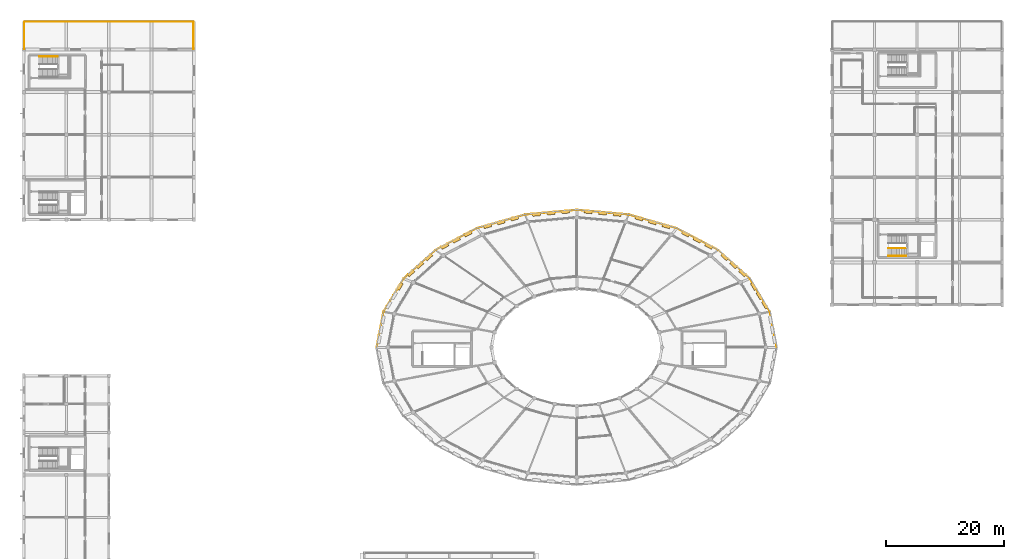
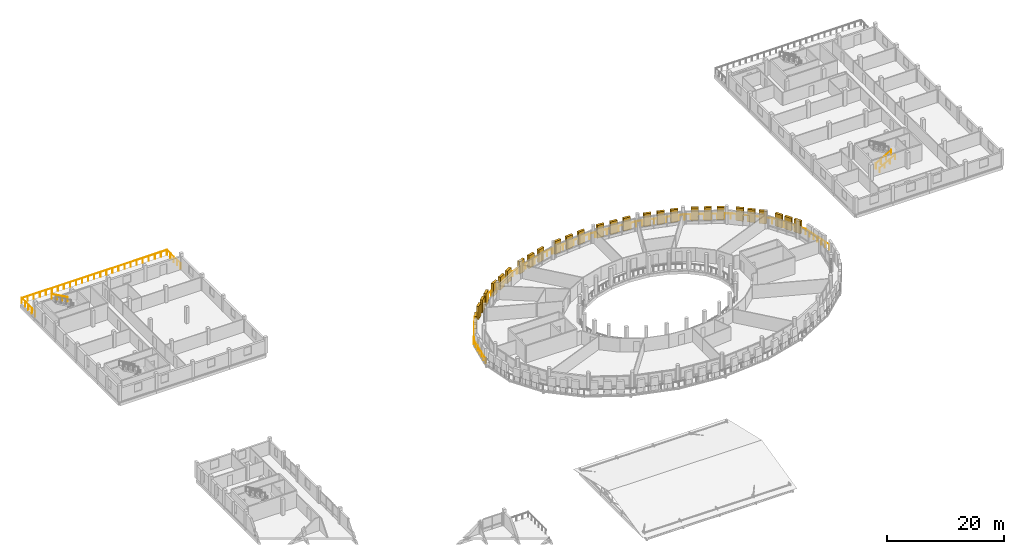
# One storey, part 83 of 84: 28 shading devices, 8 railings.
"""IFC4 building model written with IfcOpenShell, lengths in metres."""

from ifc_helpers import new_model, si_unit, direction, frame, origin, origin_2d, place, context, subcontext, project, spatial, rectangle, circle, extrude, material, type_object, element, save


model = new_model("IFC4")

# Units and contexts
model_context = context("Model", 3, precision=1e-05, world=origin(), true_north=direction((0.0, 1.0)))
body_context = subcontext(model_context, "Body", "Model", "MODEL_VIEW")
ifc_project = project(units=[si_unit("LENGTHUNIT", "METRE"), si_unit("AREAUNIT", "SQUARE_METRE"), si_unit("VOLUMEUNIT", "CUBIC_METRE"), si_unit("PLANEANGLEUNIT", "RADIAN"), si_unit("MASSUNIT", "GRAM", prefix="KILO")], contexts=[model_context])

# Site, building, storey
site_placement = place(None, origin())
site = spatial("IfcSite", under=ifc_project, at=site_placement, CompositionType="ELEMENT")
building_placement = place(site_placement, origin())
building = spatial("IfcBuilding", under=site, at=building_placement, Name="Zornivar Specialist Clinic", CompositionType="ELEMENT")
storey_placement = place(building_placement, frame((0.0, 0.0, 12.300048828125)))
storey = spatial("IfcBuildingStorey", under=building, at=storey_placement, Name="L03", CompositionType="ELEMENT", Elevation=12.300048828125)

# Railings
ifc_material_1 = material(Name="Painted Steel and Oiled Timber Balustrade", Category="steel")
railing_type_1 = type_object("IfcRailingType", Name="GRD-EXT-BALUST-1100", PredefinedType="BALUSTRADE", material=ifc_material_1)
railing_1_placement = place(storey_placement, frame((127.4541015625, 57.62890625, 0.0)))
element("IfcRailing", 1, at=railing_1_placement, inside=storey, type_object=railing_type_1, Name="rail:V1:L03:balc:q0", PredefinedType="BALUSTRADE", context=body_context, shape_type="SweptSolid", body=[
    extrude(circle(Radius=0.02392578125, at=origin_2d()), frame((0.0, 0.0, 1.076171875), z_axis=(-0.188227386656, 0.982125476155, 0.0), x_axis=(-0.982125476155, -0.188227386656, 0.0)), (0.0, 0.0, 1.0), 6.105224609375),
    extrude(circle(Radius=0.02392578125, at=origin_2d()), frame((-1.149169921875, 5.99609375, 1.076171875), z_axis=(-0.516422508188, 0.856333926127, 0.0), x_axis=(-0.856333926127, -0.516422508188, 0.0)), (0.0, 0.0, 1.0), 6.5546875),
    extrude(circle(Radius=0.02392578125, at=origin_2d()), frame((-4.5341796875, 11.609130859375, 1.076171875), z_axis=(-0.745201542332, 0.666839306959, 0.0), x_axis=(-0.666839306959, -0.745201542332, 0.0)), (0.0, 0.0, 1.0), 7.224853515625),
    extrude(circle(Radius=0.02392578125, at=origin_2d()), frame((-9.918212890625, 16.427001953125, 1.076171875), z_axis=(-0.884811989173, 0.465948220101, 0.0), x_axis=(-0.465948220101, -0.884811989173, 0.0)), (0.0, 0.0, 1.0), 7.92822265625),
    extrude(circle(Radius=0.02392578125, at=origin_2d()), frame((-16.93310546875, 20.12109375, 1.076171875), z_axis=(-0.961942919035, 0.273250472127, 0.0), x_axis=(-0.273250472127, -0.961942919035, 0.0)), (0.0, 0.0, 1.0), 8.487060546875),
    extrude(circle(Radius=0.02392578125, at=origin_2d()), frame((-25.09716796875, 22.440185546875, 1.076171875), z_axis=(-0.995949875612, 0.089910206697, 0.0), x_axis=(-0.089910206697, -0.995949875612, 0.0)), (0.0, 0.0, 1.0), 8.762451171875),
    extrude(circle(Radius=0.02099609375, at=origin_2d()), origin(), (0.0, 0.0, 1.0), 1.052001953125),
    extrude(circle(Radius=0.02099609375, at=origin_2d()), frame((-0.19140625, 0.999267578125, 0.0)), (0.0, 0.0, 1.0), 1.052001953125),
    extrude(circle(Radius=0.02099609375, at=origin_2d()), frame((-0.383056640625, 1.998779296875, 0.0)), (0.0, 0.0, 1.0), 1.052001953125),
    extrude(circle(Radius=0.02099609375, at=origin_2d()), frame((-0.57470703125, 2.998046875, 0.0)), (0.0, 0.0, 1.0), 1.052001953125),
    extrude(circle(Radius=0.02099609375, at=origin_2d()), frame((-0.76611328125, 3.997314453125, 0.0)), (0.0, 0.0, 1.0), 1.052001953125),
    extrude(circle(Radius=0.02099609375, at=origin_2d()), frame((-0.95751953125, 4.996826171875, 0.0)), (0.0, 0.0, 1.0), 1.052001953125),
    extrude(circle(Radius=0.02099609375, at=origin_2d()), frame((-1.149169921875, 5.99609375, 0.0)), (0.0, 0.0, 1.0), 1.052001953125),
    extrude(circle(Radius=0.02099609375, at=origin_2d()), frame((-1.71337890625, 6.931640625, 0.0)), (0.0, 0.0, 1.0), 1.052001953125),
    extrude(circle(Radius=0.02099609375, at=origin_2d()), frame((-2.277587890625, 7.8671875, 0.0)), (0.0, 0.0, 1.0), 1.052001953125),
    extrude(circle(Radius=0.02099609375, at=origin_2d()), frame((-2.841796875, 8.802734375, 0.0)), (0.0, 0.0, 1.0), 1.052001953125),
    extrude(circle(Radius=0.02099609375, at=origin_2d()), frame((-3.40576171875, 9.738037109375, 0.0)), (0.0, 0.0, 1.0), 1.052001953125),
    extrude(circle(Radius=0.02099609375, at=origin_2d()), frame((-3.969970703125, 10.673583984375, 0.0)), (0.0, 0.0, 1.0), 1.052001953125),
    extrude(circle(Radius=0.02099609375, at=origin_2d()), frame((-4.5341796875, 11.609130859375, 0.0)), (0.0, 0.0, 1.0), 1.052001953125),
    extrude(circle(Radius=0.02099609375, at=origin_2d()), frame((-5.30322265625, 12.29736328125, 0.0)), (0.0, 0.0, 1.0), 1.052001953125),
    extrude(circle(Radius=0.02099609375, at=origin_2d()), frame((-6.072509765625, 12.985595703125, 0.0)), (0.0, 0.0, 1.0), 1.052001953125),
    extrude(circle(Radius=0.02099609375, at=origin_2d()), frame((-6.841552734375, 13.673828125, 0.0)), (0.0, 0.0, 1.0), 1.052001953125),
    extrude(circle(Radius=0.02099609375, at=origin_2d()), frame((-7.61083984375, 14.3623046875, 0.0)), (0.0, 0.0, 1.0), 1.052001953125),
    extrude(circle(Radius=0.02099609375, at=origin_2d()), frame((-8.3798828125, 15.050537109375, 0.0)), (0.0, 0.0, 1.0), 1.052001953125),
    extrude(circle(Radius=0.02099609375, at=origin_2d()), frame((-9.149169921875, 15.73876953125, 0.0)), (0.0, 0.0, 1.0), 1.052001953125),
    extrude(circle(Radius=0.02099609375, at=origin_2d()), frame((-9.918212890625, 16.427001953125, 0.0)), (0.0, 0.0, 1.0), 1.052001953125),
    extrude(circle(Radius=0.02099609375, at=origin_2d()), frame((-10.92041015625, 16.954833984375, 0.0)), (0.0, 0.0, 1.0), 1.052001953125),
    extrude(circle(Radius=0.02099609375, at=origin_2d()), frame((-11.92236328125, 17.482421875, 0.0)), (0.0, 0.0, 1.0), 1.052001953125),
    extrude(circle(Radius=0.02099609375, at=origin_2d()), frame((-12.924560546875, 18.01025390625, 0.0)), (0.0, 0.0, 1.0), 1.052001953125),
    extrude(circle(Radius=0.02099609375, at=origin_2d()), frame((-13.9267578125, 18.537841796875, 0.0)), (0.0, 0.0, 1.0), 1.052001953125),
    extrude(circle(Radius=0.02099609375, at=origin_2d()), frame((-14.928955078125, 19.065673828125, 0.0)), (0.0, 0.0, 1.0), 1.052001953125),
    extrude(circle(Radius=0.02099609375, at=origin_2d()), frame((-15.930908203125, 19.59326171875, 0.0)), (0.0, 0.0, 1.0), 1.052001953125),
    extrude(circle(Radius=0.02099609375, at=origin_2d()), frame((-16.93310546875, 20.12109375, 0.0)), (0.0, 0.0, 1.0), 1.052001953125),
    extrude(circle(Radius=0.02099609375, at=origin_2d()), frame((-17.95361328125, 20.410888671875, 0.0)), (0.0, 0.0, 1.0), 1.052001953125),
    extrude(circle(Radius=0.02099609375, at=origin_2d()), frame((-18.97412109375, 20.700927734375, 0.0)), (0.0, 0.0, 1.0), 1.052001953125),
    extrude(circle(Radius=0.02099609375, at=origin_2d()), frame((-19.99462890625, 20.99072265625, 0.0)), (0.0, 0.0, 1.0), 1.052001953125),
    extrude(circle(Radius=0.02099609375, at=origin_2d()), frame((-21.01513671875, 21.28076171875, 0.0)), (0.0, 0.0, 1.0), 1.052001953125),
    extrude(circle(Radius=0.02099609375, at=origin_2d()), frame((-22.03564453125, 21.570556640625, 0.0)), (0.0, 0.0, 1.0), 1.052001953125),
    extrude(circle(Radius=0.02099609375, at=origin_2d()), frame((-23.05615234375, 21.8603515625, 0.0)), (0.0, 0.0, 1.0), 1.052001953125),
    extrude(circle(Radius=0.02099609375, at=origin_2d()), frame((-24.07666015625, 22.150390625, 0.0)), (0.0, 0.0, 1.0), 1.052001953125),
    extrude(circle(Radius=0.02099609375, at=origin_2d()), frame((-25.09716796875, 22.440185546875, 0.0)), (0.0, 0.0, 1.0), 1.052001953125),
    extrude(circle(Radius=0.02099609375, at=origin_2d()), frame((-26.18798828125, 22.53857421875, 0.0)), (0.0, 0.0, 1.0), 1.052001953125),
    extrude(circle(Radius=0.02099609375, at=origin_2d()), frame((-27.27880859375, 22.63720703125, 0.0)), (0.0, 0.0, 1.0), 1.052001953125),
    extrude(circle(Radius=0.02099609375, at=origin_2d()), frame((-28.369873046875, 22.735595703125, 0.0)), (0.0, 0.0, 1.0), 1.052001953125),
    extrude(circle(Radius=0.02099609375, at=origin_2d()), frame((-29.460693359375, 22.833984375, 0.0)), (0.0, 0.0, 1.0), 1.052001953125),
    extrude(circle(Radius=0.02099609375, at=origin_2d()), frame((-30.551513671875, 22.9326171875, 0.0)), (0.0, 0.0, 1.0), 1.052001953125),
    extrude(circle(Radius=0.02099609375, at=origin_2d()), frame((-31.642578125, 23.031005859375, 0.0)), (0.0, 0.0, 1.0), 1.052001953125),
    extrude(circle(Radius=0.02099609375, at=origin_2d()), frame((-32.7333984375, 23.129638671875, 0.0)), (0.0, 0.0, 1.0), 1.052001953125),
    extrude(circle(Radius=0.02099609375, at=origin_2d()), frame((-33.82421875, 23.22802734375, 0.0)), (0.0, 0.0, 1.0), 1.052001953125),
])
railing_2_placement = place(storey_placement, frame((93.570068359375, 80.85693359375, 0.0)))
element("IfcRailing", 2, at=railing_2_placement, inside=storey, type_object=railing_type_1, Name="rail:V1:L03:balc:q1", PredefinedType="BALUSTRADE", context=body_context, shape_type="SweptSolid", body=[
    extrude(circle(Radius=0.02392578125, at=origin_2d()), frame((0.0, 0.0, 1.076171875), z_axis=(-0.995949875612, -0.089910206697, 0.0), x_axis=(0.089910206697, -0.995949875612, 0.0)), (0.0, 0.0, 1.0), 8.762451171875),
    extrude(circle(Radius=0.02392578125, at=origin_2d()), frame((-8.72705078125, -0.787841796875, 1.076171875), z_axis=(-0.961942919035, -0.273250472127, 0.0), x_axis=(0.273250472127, -0.961942919035, 0.0)), (0.0, 0.0, 1.0), 8.487060546875),
    extrude(circle(Radius=0.02392578125, at=origin_2d()), frame((-16.89111328125, -3.10693359375, 1.076171875), z_axis=(-0.884811989173, -0.465948220101, 0.0), x_axis=(0.465948220101, -0.884811989173, 0.0)), (0.0, 0.0, 1.0), 7.92822265625),
    extrude(circle(Radius=0.02392578125, at=origin_2d()), frame((-23.906005859375, -6.801025390625, 1.076171875), z_axis=(-0.745201542332, -0.666839306959, 0.0), x_axis=(0.666839306959, -0.745201542332, 0.0)), (0.0, 0.0, 1.0), 7.224853515625),
    extrude(circle(Radius=0.02392578125, at=origin_2d()), frame((-29.2900390625, -11.618896484375, 1.076171875), z_axis=(-0.516422508188, -0.856333926127, 0.0), x_axis=(0.856333926127, -0.516422508188, 0.0)), (0.0, 0.0, 1.0), 6.5546875),
    extrude(circle(Radius=0.02392578125, at=origin_2d()), frame((-32.675048828125, -17.23193359375, 1.076171875), z_axis=(-0.188188814184, -0.982132867903, 0.0), x_axis=(0.982132867903, -0.188188814184, 0.0)), (0.0, 0.0, 1.0), 6.105224609375),
    extrude(circle(Radius=0.02099609375, at=origin_2d()), origin(), (0.0, 0.0, 1.0), 1.052001953125),
    extrude(circle(Radius=0.02099609375, at=origin_2d()), frame((-1.0908203125, -0.098388671875, 0.0)), (0.0, 0.0, 1.0), 1.052001953125),
    extrude(circle(Radius=0.02099609375, at=origin_2d()), frame((-2.181640625, -0.197021484375, 0.0)), (0.0, 0.0, 1.0), 1.052001953125),
    extrude(circle(Radius=0.02099609375, at=origin_2d()), frame((-3.272705078125, -0.29541015625, 0.0)), (0.0, 0.0, 1.0), 1.052001953125),
    extrude(circle(Radius=0.02099609375, at=origin_2d()), frame((-4.363525390625, -0.39404296875, 0.0)), (0.0, 0.0, 1.0), 1.052001953125),
    extrude(circle(Radius=0.02099609375, at=origin_2d()), frame((-5.454345703125, -0.492431640625, 0.0)), (0.0, 0.0, 1.0), 1.052001953125),
    extrude(circle(Radius=0.02099609375, at=origin_2d()), frame((-6.54541015625, -0.5908203125, 0.0)), (0.0, 0.0, 1.0), 1.052001953125),
    extrude(circle(Radius=0.02099609375, at=origin_2d()), frame((-7.63623046875, -0.689453125, 0.0)), (0.0, 0.0, 1.0), 1.052001953125),
    extrude(circle(Radius=0.02099609375, at=origin_2d()), frame((-8.72705078125, -0.787841796875, 0.0)), (0.0, 0.0, 1.0), 1.052001953125),
    extrude(circle(Radius=0.02099609375, at=origin_2d()), frame((-9.74755859375, -1.07763671875, 0.0)), (0.0, 0.0, 1.0), 1.052001953125),
    extrude(circle(Radius=0.02099609375, at=origin_2d()), frame((-10.76806640625, -1.36767578125, 0.0)), (0.0, 0.0, 1.0), 1.052001953125),
    extrude(circle(Radius=0.02099609375, at=origin_2d()), frame((-11.78857421875, -1.657470703125, 0.0)), (0.0, 0.0, 1.0), 1.052001953125),
    extrude(circle(Radius=0.02099609375, at=origin_2d()), frame((-12.80908203125, -1.947265625, 0.0)), (0.0, 0.0, 1.0), 1.052001953125),
    extrude(circle(Radius=0.02099609375, at=origin_2d()), frame((-13.82958984375, -2.2373046875, 0.0)), (0.0, 0.0, 1.0), 1.052001953125),
    extrude(circle(Radius=0.02099609375, at=origin_2d()), frame((-14.85009765625, -2.527099609375, 0.0)), (0.0, 0.0, 1.0), 1.052001953125),
    extrude(circle(Radius=0.02099609375, at=origin_2d()), frame((-15.87060546875, -2.817138671875, 0.0)), (0.0, 0.0, 1.0), 1.052001953125),
    extrude(circle(Radius=0.02099609375, at=origin_2d()), frame((-16.89111328125, -3.10693359375, 0.0)), (0.0, 0.0, 1.0), 1.052001953125),
    extrude(circle(Radius=0.02099609375, at=origin_2d()), frame((-17.893310546875, -3.634765625, 0.0)), (0.0, 0.0, 1.0), 1.052001953125),
    extrude(circle(Radius=0.02099609375, at=origin_2d()), frame((-18.895263671875, -4.162353515625, 0.0)), (0.0, 0.0, 1.0), 1.052001953125),
    extrude(circle(Radius=0.02099609375, at=origin_2d()), frame((-19.8974609375, -4.690185546875, 0.0)), (0.0, 0.0, 1.0), 1.052001953125),
    extrude(circle(Radius=0.02099609375, at=origin_2d()), frame((-20.899658203125, -5.2177734375, 0.0)), (0.0, 0.0, 1.0), 1.052001953125),
    extrude(circle(Radius=0.02099609375, at=origin_2d()), frame((-21.90185546875, -5.74560546875, 0.0)), (0.0, 0.0, 1.0), 1.052001953125),
    extrude(circle(Radius=0.02099609375, at=origin_2d()), frame((-22.90380859375, -6.273193359375, 0.0)), (0.0, 0.0, 1.0), 1.052001953125),
    extrude(circle(Radius=0.02099609375, at=origin_2d()), frame((-23.906005859375, -6.801025390625, 0.0)), (0.0, 0.0, 1.0), 1.052001953125),
    extrude(circle(Radius=0.02099609375, at=origin_2d()), frame((-24.675048828125, -7.4892578125, 0.0)), (0.0, 0.0, 1.0), 1.052001953125),
    extrude(circle(Radius=0.02099609375, at=origin_2d()), frame((-25.4443359375, -8.177490234375, 0.0)), (0.0, 0.0, 1.0), 1.052001953125),
    extrude(circle(Radius=0.02099609375, at=origin_2d()), frame((-26.21337890625, -8.86572265625, 0.0)), (0.0, 0.0, 1.0), 1.052001953125),
    extrude(circle(Radius=0.02099609375, at=origin_2d()), frame((-26.982666015625, -9.55419921875, 0.0)), (0.0, 0.0, 1.0), 1.052001953125),
    extrude(circle(Radius=0.02099609375, at=origin_2d()), frame((-27.751708984375, -10.242431640625, 0.0)), (0.0, 0.0, 1.0), 1.052001953125),
    extrude(circle(Radius=0.02099609375, at=origin_2d()), frame((-28.52099609375, -10.9306640625, 0.0)), (0.0, 0.0, 1.0), 1.052001953125),
    extrude(circle(Radius=0.02099609375, at=origin_2d()), frame((-29.2900390625, -11.618896484375, 0.0)), (0.0, 0.0, 1.0), 1.052001953125),
    extrude(circle(Radius=0.02099609375, at=origin_2d()), frame((-29.854248046875, -12.554443359375, 0.0)), (0.0, 0.0, 1.0), 1.052001953125),
    extrude(circle(Radius=0.02099609375, at=origin_2d()), frame((-30.41845703125, -13.489990234375, 0.0)), (0.0, 0.0, 1.0), 1.052001953125),
    extrude(circle(Radius=0.02099609375, at=origin_2d()), frame((-30.982421875, -14.42529296875, 0.0)), (0.0, 0.0, 1.0), 1.052001953125),
    extrude(circle(Radius=0.02099609375, at=origin_2d()), frame((-31.546630859375, -15.36083984375, 0.0)), (0.0, 0.0, 1.0), 1.052001953125),
    extrude(circle(Radius=0.02099609375, at=origin_2d()), frame((-32.11083984375, -16.29638671875, 0.0)), (0.0, 0.0, 1.0), 1.052001953125),
    extrude(circle(Radius=0.02099609375, at=origin_2d()), frame((-32.675048828125, -17.23193359375, 0.0)), (0.0, 0.0, 1.0), 1.052001953125),
    extrude(circle(Radius=0.02099609375, at=origin_2d()), frame((-32.866455078125, -18.231201171875, 0.0)), (0.0, 0.0, 1.0), 1.052001953125),
    extrude(circle(Radius=0.02099609375, at=origin_2d()), frame((-33.05810546875, -19.230712890625, 0.0)), (0.0, 0.0, 1.0), 1.052001953125),
    extrude(circle(Radius=0.02099609375, at=origin_2d()), frame((-33.24951171875, -20.22998046875, 0.0)), (0.0, 0.0, 1.0), 1.052001953125),
    extrude(circle(Radius=0.02099609375, at=origin_2d()), frame((-33.44091796875, -21.229248046875, 0.0)), (0.0, 0.0, 1.0), 1.052001953125),
    extrude(circle(Radius=0.02099609375, at=origin_2d()), frame((-33.632568359375, -22.228759765625, 0.0)), (0.0, 0.0, 1.0), 1.052001953125),
    extrude(circle(Radius=0.02099609375, at=origin_2d()), frame((-33.823974609375, -23.22802734375, 0.0)), (0.0, 0.0, 1.0), 1.052001953125),
])
ifc_material_2 = material(Name="Brushed Stainless Steel Stair Guardrail", Category="steel")
railing_type_2 = type_object("IfcRailingType", Name="GRD-INT-STAIR-1100", PredefinedType="GUARDRAIL", material=ifc_material_2)
railing_3_placement = place(storey_placement, frame((146.340087890625, 74.3798828125, 0.154052734375)))
element("IfcRailing", 3, at=railing_3_placement, inside=storey, type_object=railing_type_2, Name="stair:C9:L03:grd1", PredefinedType="GUARDRAIL", context=body_context, shape_type="SweptSolid", body=[
    extrude(circle(Radius=0.02392578125, at=origin_2d()), frame((0.0, 0.0, 1.076171875), z_axis=(0.870544365607, 0.0, 0.492089938436), x_axis=(0.0, 1.0, 0.0)), (0.0, 0.0, 1.0), 3.446044921875),
    extrude(circle(Radius=0.02099609375, at=origin_2d()), origin(), (0.0, 0.0, 1.0), 1.052001953125),
    extrude(circle(Radius=0.02099609375, at=origin_2d()), frame((1.0, 0.0, 0.565185546875)), (0.0, 0.0, 1.0), 1.052001953125),
    extrude(circle(Radius=0.02099609375, at=origin_2d()), frame((2.0, 0.0, 1.130615234375)), (0.0, 0.0, 1.0), 1.052001953125),
    extrude(circle(Radius=0.02099609375, at=origin_2d()), frame((3.0, 0.0, 1.69580078125)), (0.0, 0.0, 1.0), 1.052001953125),
])
ifc_material_3 = material(Name="Anodised Bronze Terrace Guardrail")
railing_type_3 = type_object("IfcRailingType", Name="GRD-TERR-GUARD-1120", PredefinedType="GUARDRAIL", material=ifc_material_3)
railing_4_placement = place(storey_placement, frame((28.719970703125, 108.080078125, 0.0)))
element("IfcRailing", 4, at=railing_4_placement, inside=storey, type_object=railing_type_3, Name="rail:V5:L03:terr:0:1", PredefinedType="GUARDRAIL", context=body_context, shape_type="SweptSolid", body=[
    extrude(circle(Radius=0.02392578125, at=origin_2d()), frame((0.0, 0.0, 1.09619140625), z_axis=(0.0, 1.0, 0.0), x_axis=(-1.0, 0.0, 0.0)), (0.0, 0.0, 1.0), 4.639892578125),
    extrude(circle(Radius=0.02099609375, at=origin_2d()), origin(), (0.0, 0.0, 1.0), 1.072021484375),
    extrude(circle(Radius=0.02099609375, at=origin_2d()), frame((0.0, 1.159912109375, 0.0)), (0.0, 0.0, 1.0), 1.072021484375),
    extrude(circle(Radius=0.02099609375, at=origin_2d()), frame((0.0, 2.31982421875, 0.0)), (0.0, 0.0, 1.0), 1.072021484375),
    extrude(circle(Radius=0.02099609375, at=origin_2d()), frame((0.0, 3.47998046875, 0.0)), (0.0, 0.0, 1.0), 1.072021484375),
    extrude(circle(Radius=0.02099609375, at=origin_2d()), frame((0.0, 4.639892578125, 0.0)), (0.0, 0.0, 1.0), 1.072021484375),
])
railing_5_placement = place(storey_placement, frame((28.719970703125, 112.719970703125, 0.0)))
element("IfcRailing", 5, at=railing_5_placement, inside=storey, type_object=railing_type_3, Name="rail:V5:L03:terr:0:2", PredefinedType="GUARDRAIL", context=body_context, shape_type="SweptSolid", body=[
    extrude(circle(Radius=0.02392578125, at=origin_2d()), frame((0.0, 0.0, 1.09619140625), z_axis=(-1.0, 0.0, 0.0), x_axis=(0.0, -1.0, 0.0)), (0.0, 0.0, 1.0), 28.639892578125),
    extrude(circle(Radius=0.02099609375, at=origin_2d()), origin(), (0.0, 0.0, 1.0), 1.072021484375),
    extrude(circle(Radius=0.02099609375, at=origin_2d()), frame((-1.193359375, 0.0, 0.0)), (0.0, 0.0, 1.0), 1.072021484375),
    extrude(circle(Radius=0.02099609375, at=origin_2d()), frame((-2.38671875, 0.0, 0.0)), (0.0, 0.0, 1.0), 1.072021484375),
    extrude(circle(Radius=0.02099609375, at=origin_2d()), frame((-3.580078125, 0.0, 0.0)), (0.0, 0.0, 1.0), 1.072021484375),
    extrude(circle(Radius=0.02099609375, at=origin_2d()), frame((-4.7734375, 0.0, 0.0)), (0.0, 0.0, 1.0), 1.072021484375),
    extrude(circle(Radius=0.02099609375, at=origin_2d()), frame((-5.966552734375, 0.0, 0.0)), (0.0, 0.0, 1.0), 1.072021484375),
    extrude(circle(Radius=0.02099609375, at=origin_2d()), frame((-7.159912109375, 0.0, 0.0)), (0.0, 0.0, 1.0), 1.072021484375),
    extrude(circle(Radius=0.02099609375, at=origin_2d()), frame((-8.353271484375, 0.0, 0.0)), (0.0, 0.0, 1.0), 1.072021484375),
    extrude(circle(Radius=0.02099609375, at=origin_2d()), frame((-9.546630859375, 0.0, 0.0)), (0.0, 0.0, 1.0), 1.072021484375),
    extrude(circle(Radius=0.02099609375, at=origin_2d()), frame((-10.739990234375, 0.0, 0.0)), (0.0, 0.0, 1.0), 1.072021484375),
    extrude(circle(Radius=0.02099609375, at=origin_2d()), frame((-11.933349609375, 0.0, 0.0)), (0.0, 0.0, 1.0), 1.072021484375),
    extrude(circle(Radius=0.02099609375, at=origin_2d()), frame((-13.126708984375, 0.0, 0.0)), (0.0, 0.0, 1.0), 1.072021484375),
    extrude(circle(Radius=0.02099609375, at=origin_2d()), frame((-14.31982421875, 0.0, 0.0)), (0.0, 0.0, 1.0), 1.072021484375),
    extrude(circle(Radius=0.02099609375, at=origin_2d()), frame((-15.51318359375, 0.0, 0.0)), (0.0, 0.0, 1.0), 1.072021484375),
    extrude(circle(Radius=0.02099609375, at=origin_2d()), frame((-16.70654296875, 0.0, 0.0)), (0.0, 0.0, 1.0), 1.072021484375),
    extrude(circle(Radius=0.02099609375, at=origin_2d()), frame((-17.89990234375, 0.0, 0.0)), (0.0, 0.0, 1.0), 1.072021484375),
    extrude(circle(Radius=0.02099609375, at=origin_2d()), frame((-19.09326171875, 0.0, 0.0)), (0.0, 0.0, 1.0), 1.072021484375),
    extrude(circle(Radius=0.02099609375, at=origin_2d()), frame((-20.28662109375, 0.0, 0.0)), (0.0, 0.0, 1.0), 1.072021484375),
    extrude(circle(Radius=0.02099609375, at=origin_2d()), frame((-21.47998046875, 0.0, 0.0)), (0.0, 0.0, 1.0), 1.072021484375),
    extrude(circle(Radius=0.02099609375, at=origin_2d()), frame((-22.67333984375, 0.0, 0.0)), (0.0, 0.0, 1.0), 1.072021484375),
    extrude(circle(Radius=0.02099609375, at=origin_2d()), frame((-23.86669921875, 0.0, 0.0)), (0.0, 0.0, 1.0), 1.072021484375),
    extrude(circle(Radius=0.02099609375, at=origin_2d()), frame((-25.059814453125, 0.0, 0.0)), (0.0, 0.0, 1.0), 1.072021484375),
    extrude(circle(Radius=0.02099609375, at=origin_2d()), frame((-26.253173828125, 0.0, 0.0)), (0.0, 0.0, 1.0), 1.072021484375),
    extrude(circle(Radius=0.02099609375, at=origin_2d()), frame((-27.446533203125, 0.0, 0.0)), (0.0, 0.0, 1.0), 1.072021484375),
    extrude(circle(Radius=0.02099609375, at=origin_2d()), frame((-28.639892578125, 0.0, 0.0)), (0.0, 0.0, 1.0), 1.072021484375),
])
railing_6_placement = place(storey_placement, frame((0.080078125, 112.719970703125, 0.0)))
element("IfcRailing", 6, at=railing_6_placement, inside=storey, type_object=railing_type_3, Name="rail:V5:L03:terr:0:3", PredefinedType="GUARDRAIL", context=body_context, shape_type="SweptSolid", body=[
    extrude(circle(Radius=0.02392578125, at=origin_2d()), frame((0.0, 0.0, 1.09619140625), z_axis=(0.0, -1.0, 0.0), x_axis=(1.0, 0.0, 0.0)), (0.0, 0.0, 1.0), 4.639892578125),
    extrude(circle(Radius=0.02099609375, at=origin_2d()), origin(), (0.0, 0.0, 1.0), 1.072021484375),
    extrude(circle(Radius=0.02099609375, at=origin_2d()), frame((0.0, -1.159912109375, 0.0)), (0.0, 0.0, 1.0), 1.072021484375),
    extrude(circle(Radius=0.02099609375, at=origin_2d()), frame((0.0, -2.31982421875, 0.0)), (0.0, 0.0, 1.0), 1.072021484375),
    extrude(circle(Radius=0.02099609375, at=origin_2d()), frame((0.0, -3.47998046875, 0.0)), (0.0, 0.0, 1.0), 1.072021484375),
    extrude(circle(Radius=0.02099609375, at=origin_2d()), frame((0.0, -4.639892578125, 0.0)), (0.0, 0.0, 1.0), 1.072021484375),
])
ifc_material_4 = material(Name="Brushed Stainless Steel Continuous Handrail", Category="steel")
railing_type_4 = type_object("IfcRailingType", Name="HRL-STAIR-0920", PredefinedType="HANDRAIL", material=ifc_material_4)
railing_7_placement = place(storey_placement, frame((5.679931640625, 106.830078125, 2.00390625)))
element("IfcRailing", 7, at=railing_7_placement, inside=storey, type_object=railing_type_4, Name="stair:C8:L03:hr2", PredefinedType="HANDRAIL", context=body_context, shape_type="SweptSolid", body=[
    extrude(circle(Radius=0.02392578125, at=origin_2d()), frame((0.0, 0.0, 0.89599609375), z_axis=(-0.874624303793, 0.0, 0.484801327571), x_axis=(0.0, -1.0, 0.0)), (0.0, 0.0, 1.0), 3.49853515625),
    extrude(circle(Radius=0.02099609375, at=origin_2d()), origin(), (0.0, 0.0, 1.0), 0.871826171875),
    extrude(circle(Radius=0.02099609375, at=origin_2d()), frame((-1.02001953125, 0.0, 0.5654296875)), (0.0, 0.0, 1.0), 0.871826171875),
    extrude(circle(Radius=0.02099609375, at=origin_2d()), frame((-2.039794921875, 0.0, 1.130615234375)), (0.0, 0.0, 1.0), 0.871826171875),
    extrude(circle(Radius=0.02099609375, at=origin_2d()), frame((-3.059814453125, 0.0, 1.696044921875)), (0.0, 0.0, 1.0), 0.871826171875),
])
railing_8_placement = place(storey_placement, frame((146.300048828125, 73.070068359375, 0.154052734375)))
element("IfcRailing", 8, at=railing_8_placement, inside=storey, type_object=railing_type_4, Name="stair:C9:L03:hr1", PredefinedType="HANDRAIL", context=body_context, shape_type="SweptSolid", body=[
    extrude(circle(Radius=0.02392578125, at=origin_2d()), frame((0.0, 0.0, 0.89599609375), z_axis=(0.875988564427, 0.0, 0.482331872256), x_axis=(0.0, 1.0, 0.0)), (0.0, 0.0, 1.0), 3.515869140625),
    extrude(circle(Radius=0.02099609375, at=origin_2d()), origin(), (0.0, 0.0, 1.0), 0.871826171875),
    extrude(circle(Radius=0.02099609375, at=origin_2d()), frame((1.026611328125, 0.0, 0.565185546875)), (0.0, 0.0, 1.0), 0.871826171875),
    extrude(circle(Radius=0.02099609375, at=origin_2d()), frame((2.05322265625, 0.0, 1.130615234375)), (0.0, 0.0, 1.0), 0.871826171875),
    extrude(circle(Radius=0.02099609375, at=origin_2d()), frame((3.079833984375, 0.0, 1.69580078125)), (0.0, 0.0, 1.0), 0.871826171875),
])

# Shading devices
ifc_material_5 = material(Name="Oiled European Larch Timber Louvre Shutter", Category="wood")
shading_device_type = type_object("IfcShadingDeviceType", Name="SHD-DRUM-SHUTTER-450", PredefinedType="SHUTTER", material=ifc_material_5)
for number, where, z_axis, x_axis, name in (
    (9, (125.404052734375, 64.743896484375, 0.0), (0.0, 0.0, 1.0), (-0.516018019467, 0.856577727696, 0.0), "shutter:V1:L03:c01:0"),
    (10, (124.4560546875, 66.319091796875, 0.0), (0.0, 0.0, 1.0), (-0.516018019467, 0.856577727696, 0.0), "shutter:V1:L03:c01:1"),
    (11, (123.507080078125, 67.89404296875, 0.0), (0.0, 0.0, 1.0), (-0.516018019467, 0.856577727696, 0.0), "shutter:V1:L03:c01:2"),
    (12, (121.623046875, 70.135986328125, 0.0), (0.0, 0.0, 1.0), (-0.744796712128, 0.667291433785, 0.0), "shutter:V1:L03:c02:0"),
    (13, (120.114013671875, 71.489013671875, 0.0), (0.0, 0.0, 1.0), (-0.744796712128, 0.667291433785, 0.0), "shutter:V1:L03:c02:1"),
    (14, (118.60400390625, 72.841064453125, 0.0), (0.0, 0.0, 1.0), (-0.744796712128, 0.667291433785, 0.0), "shutter:V1:L03:c02:2"),
    (15, (115.923095703125, 74.68408203125, 0.0), (0.0, 0.0, 1.0), (-0.884469914632, 0.466597224713, 0.0), "shutter:V1:L03:c03:0"),
    (16, (113.9560546875, 75.721923828125, 0.0), (0.0, 0.0, 1.0), (-0.884469914632, 0.466597224713, 0.0), "shutter:V1:L03:c03:1"),
    (17, (111.989013671875, 76.760009765625, 0.0), (0.0, 0.0, 1.0), (-0.884469914632, 0.466597224713, 0.0), "shutter:V1:L03:c03:2"),
    (18, (108.69189453125, 78.068115234375, 0.0), (0.0, 0.0, 1.0), (-0.961785255901, 0.273804896838, 0.0), "shutter:V1:L03:c04:0"),
    (19, (106.40087890625, 78.719970703125, 0.0), (0.0, 0.0, 1.0), (-0.961785255901, 0.273804896838, 0.0), "shutter:V1:L03:c04:1"),
    (20, (104.110107421875, 79.3720703125, 0.0), (0.0, 0.0, 1.0), (-0.961785255901, 0.273804896838, 0.0), "shutter:V1:L03:c04:2"),
    (21, (100.425048828125, 80.051025390625, 0.0), (0.0, 0.0, 1.0), (-0.995924761284, 0.090187969607, 0.0), "shutter:V1:L03:c05:0"),
    (22, (97.967041015625, 80.27392578125, 0.0), (0.0, 0.0, 1.0), (-0.995924761284, 0.090187969607, 0.0), "shutter:V1:L03:c05:1"),
    (23, (95.509033203125, 80.49609375, 0.0), (0.0, 0.0, 1.0), (-0.995924761284, 0.090187969607, 0.0), "shutter:V1:L03:c05:2"),
    (24, (91.69091796875, 80.49609375, 0.0), (0.0, 0.0, 1.0), (-0.995924761284, -0.090187969607, 0.0), "shutter:V1:L03:c06:0"),
    (25, (89.23291015625, 80.27392578125, 0.0), (0.0, 0.0, 1.0), (-0.995924761284, -0.090187969607, 0.0), "shutter:V1:L03:c06:1"),
    (26, (86.77490234375, 80.051025390625, 0.0), (0.0, 0.0, 1.0), (-0.995924761284, -0.090187969607, 0.0), "shutter:V1:L03:c06:2"),
    (27, (83.090087890625, 79.3720703125, 0.0), (0.0, 0.0, 1.0), (-0.961785255901, -0.273804896838, 0.0), "shutter:V1:L03:c07:0"),
    (28, (80.799072265625, 78.719970703125, 0.0), (0.0, 0.0, 1.0), (-0.961785255901, -0.273804896838, 0.0), "shutter:V1:L03:c07:1"),
    (29, (78.508056640625, 78.068115234375, 0.0), (0.0, 0.0, 1.0), (-0.961785255901, -0.273804896838, 0.0), "shutter:V1:L03:c07:2"),
    (30, (75.2109375, 76.760009765625, 0.0), (0.0, 0.0, 1.0), (-0.884469914632, -0.466597224713, 0.0), "shutter:V1:L03:c08:0"),
    (31, (73.243896484375, 75.721923828125, 0.0), (0.0, 0.0, 1.0), (-0.884469914632, -0.466597224713, 0.0), "shutter:V1:L03:c08:1"),
    (32, (71.277099609375, 74.68408203125, 0.0), (0.0, 0.0, 1.0), (-0.884469914632, -0.466597224713, 0.0), "shutter:V1:L03:c08:2"),
    (33, (68.595947265625, 72.841064453125, 0.0), (0.0, 0.0, 1.0), (-0.744796712128, -0.667291433785, 0.0), "shutter:V1:L03:c09:0"),
    (34, (67.0859375, 71.489013671875, 0.0), (0.0, 0.0, 1.0), (-0.744796712128, -0.667291433785, 0.0), "shutter:V1:L03:c09:1"),
    (35, (65.576904296875, 70.135986328125, 0.0), (0.0, 0.0, 1.0), (-0.744796712128, -0.667291433785, 0.0), "shutter:V1:L03:c09:2"),
    (36, (63.693115234375, 67.89404296875, 0.0), (0.0, 0.0, 1.0), (-0.516018019467, -0.856577727696, 0.0), "shutter:V1:L03:c10:0"),
):
    element("IfcShadingDevice", number, at=place(storey_placement, frame(where, z_axis=z_axis, x_axis=x_axis)), inside=storey, type_object=shading_device_type, Name=name, PredefinedType="SHUTTER", context=body_context, shape_type="SweptSolid", body=[
        extrude(rectangle(XDim=1.300048828125, YDim=0.449951171875, at=origin_2d()), origin(), (0.0, 0.0, 1.0), 2.64990234375),
    ])

save(model, "model.ifc")
